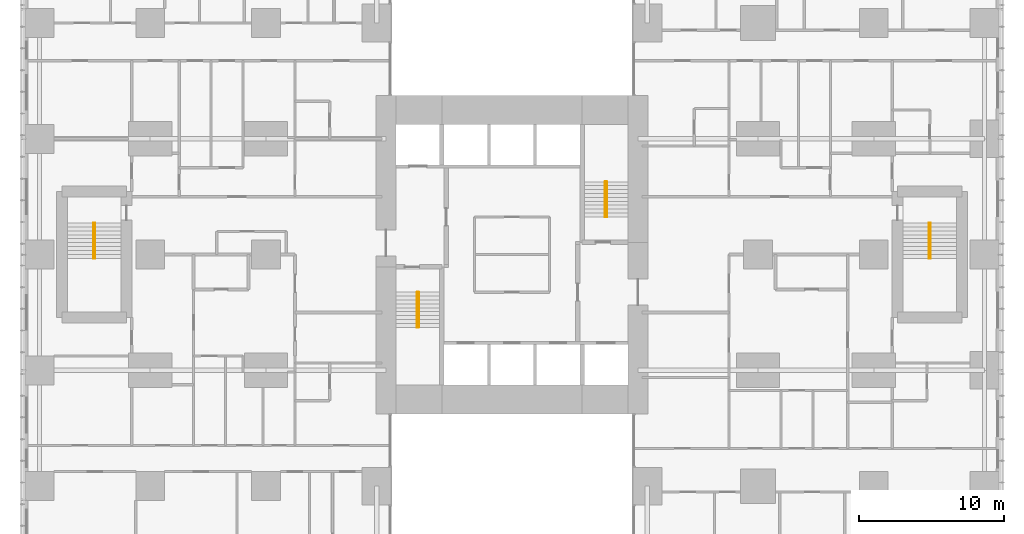
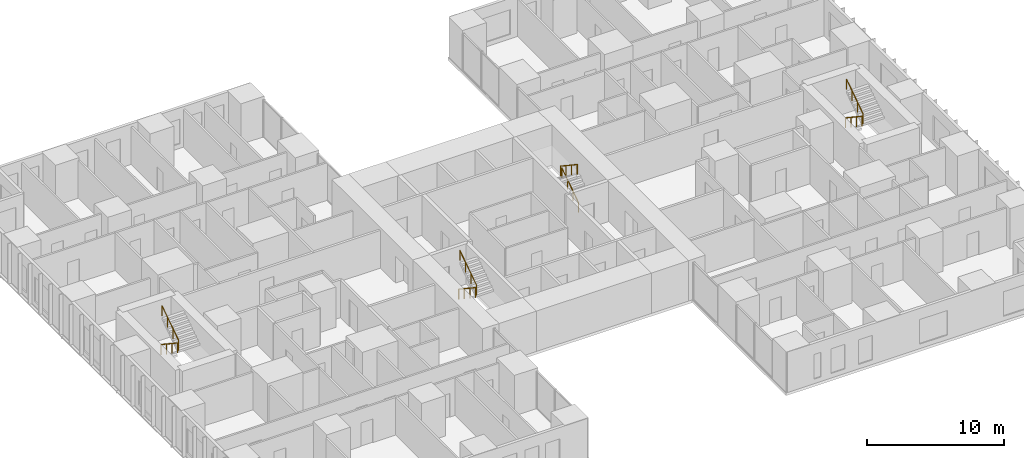
# One storey, part 20 of 20: 8 railings.
"""IFC4 building model written with IfcOpenShell, lengths in metres."""

import ifcopenshell
import ifcopenshell.guid

model = None  # the IFC model being written
_history = None  # IfcOwnerHistory: only IFC2X3 demands one
_inside = {}  # id of a spatial element -> (the spatial element, [elements in it])
_under = {}  # id of a project, library or spatial element -> (it, [spatial elements below it])
_declared = {}  # id of a project -> (the project, [libraries it declares])
_typed = {}  # id of a type object -> (the type object, [elements of that type])
_made_of = {}  # id of a material, layer set ... -> (it, [elements and type objects made of it])


def new_model(schema):
    """Start an empty IFC model of exactly this schema.

    Asked for "IFC4X3", IfcOpenShell would pick the latest addendum, in which some entities
    have other attributes; the version numbers below select the first issue.
    IFC2X3 requires an IfcOwnerHistory on every rooted entity: one is made here for all.
    """
    global model, _history
    if schema == "IFC4X3":
        model = ifcopenshell.file(schema_version=(4, 3, 0, 0))
    else:
        model = ifcopenshell.file(schema=schema)
    _inside.clear()
    _under.clear()
    _declared.clear()
    _typed.clear()
    _made_of.clear()
    _history = None
    if model.schema == "IFC2X3":
        org = make("IfcOrganization", Name="unknown")
        user = make(
            "IfcPersonAndOrganization",
            ThePerson=make("IfcPerson", FamilyName="unknown"),
            TheOrganization=org,
        )
        app = make(
            "IfcApplication",
            ApplicationDeveloper=org,
            Version="unknown",
            ApplicationFullName="unknown",
            ApplicationIdentifier="unknown",
        )
        _history = make(
            "IfcOwnerHistory",
            OwningUser=user,
            OwningApplication=app,
            ChangeAction="ADDED",
            CreationDate=0,
        )
    return model


def make(cls, **values):
    """One entity of the class cls with the attributes given. An attribute that is None is left unset."""
    return model.create_entity(
        cls, **{name: value for name, value in values.items() if value is not None}
    )


def rooted(cls, **values):
    """An entity with a GlobalId (a new one), such as an element, a storey or a relation."""
    return make(cls, GlobalId=ifcopenshell.guid.new(), OwnerHistory=_history, **values)


def si_unit(unit_type, name, prefix=None):
    """IfcSIUnit, for example si_unit("LENGTHUNIT", "METRE", prefix="MILLI")."""
    return make("IfcSIUnit", UnitType=unit_type, Prefix=prefix, Name=name)


def assignment(units):
    """IfcUnitAssignment: the units of a project."""
    return None if units is None else make("IfcUnitAssignment", Units=units)


def point(xyz):
    """IfcCartesianPoint."""
    return None if xyz is None else make("IfcCartesianPoint", Coordinates=xyz)


def direction(xyz):
    """IfcDirection."""
    return None if xyz is None else make("IfcDirection", DirectionRatios=xyz)


def frame(location, z_axis=None, x_axis=None):
    """IfcAxis2Placement3D, a coordinate frame: its origin and axes. An axis left out is left unset."""
    return make(
        "IfcAxis2Placement3D",
        Location=point(location),
        Axis=direction(z_axis),
        RefDirection=direction(x_axis),
    )


def frame_2d(location, x_axis=None):
    """IfcAxis2Placement2D, a coordinate frame in the plane: its origin and x axis."""
    return make(
        "IfcAxis2Placement2D", Location=point(location), RefDirection=direction(x_axis)
    )


def origin():
    """The frame at (0, 0, 0) with its axes left unset."""
    return frame((0.0, 0.0, 0.0))


def origin_2d():
    """The frame at (0, 0) in the plane with its x axis left unset."""
    return frame_2d((0.0, 0.0))


def place(relative_to, where):
    """IfcLocalPlacement: puts the frame where relative to a parent placement (None: the world)."""
    return make(
        "IfcLocalPlacement", PlacementRelTo=relative_to, RelativePlacement=where
    )


def context(
    kind, dimensions, precision=None, world=None, true_north=None, identifier=None
):
    """IfcGeometricRepresentationContext, for example the 3D "Model" context."""
    return make(
        "IfcGeometricRepresentationContext",
        ContextIdentifier=identifier,
        ContextType=kind,
        CoordinateSpaceDimension=dimensions,
        Precision=precision,
        WorldCoordinateSystem=world,
        TrueNorth=true_north,
    )


def subcontext(parent, identifier, kind, view, scale=None):
    """IfcGeometricRepresentationSubContext, for example "Body" below "Model"."""
    return make(
        "IfcGeometricRepresentationSubContext",
        ContextIdentifier=identifier,
        ContextType=kind,
        ParentContext=parent,
        TargetScale=scale,
        TargetView=view,
    )


def project(units=None, contexts=None):
    """IfcProject with its units and contexts."""
    return rooted(
        "IfcProject",
        Name="project",
        RepresentationContexts=contexts,
        UnitsInContext=assignment(units),
    )


def spatial(cls, under=None, at=None, **own):
    """A site, building, storey or space (cls), placed at a placement, below another one or the project."""
    s = rooted(cls, ObjectPlacement=at, **own)
    if under is not None:
        _under.setdefault(under.id(), (under, []))[1].append(s)
    return s


def profile(cls, at=None, kind="AREA", **sizes):
    """A parametric profile (cls). Its sizes go by their IFC names, for example OverallWidth=200.0."""
    return make(cls, ProfileType=kind, Position=at, **sizes)


def circle(**sizes):
    """IfcCircleProfileDef."""
    return profile("IfcCircleProfileDef", **sizes)


def extrude(swept, where, along, depth):
    """IfcExtrudedAreaSolid: the profile swept, set in the frame where, extruded along a direction by depth."""
    return make(
        "IfcExtrudedAreaSolid",
        SweptArea=swept,
        Position=where,
        ExtrudedDirection=direction(along),
        Depth=depth,
    )


def shape(context_of_items, identifier, shape_type, items):
    """IfcShapeRepresentation: the items that make up one representation, for example the "Body"."""
    return make(
        "IfcShapeRepresentation",
        ContextOfItems=context_of_items,
        RepresentationIdentifier=identifier,
        RepresentationType=shape_type,
        Items=items,
    )


def material(Name=None, Category=None):
    """IfcMaterial."""
    return make("IfcMaterial", Name=Name, Category=Category)


def made_of(thing, what):
    """Note that an element or type object is made of a material, layer set ...; save() writes the relation."""
    if what is not None:
        _made_of.setdefault(what.id(), (what, []))[1].append(thing)
    return thing


def type_object(cls, material=None, **own):
    """A type object (cls), such as IfcWallType, which elements share."""
    return made_of(rooted(cls, **own), material)


def element(
    cls,
    number,
    at=None,
    inside=None,
    cuts=None,
    type_object=None,
    material=None,
    context=None,
    identifier="Body",
    shape_type=None,
    held_by="IfcProductDefinitionShape",
    body=None,
    shapes=None,
    **own,
):
    """One element of the class cls, such as IfcWall. Its Tag is "e" and its number.

    at: its placement. inside: the storey or other place that contains it. cuts: it is an
    opening in that element (IfcRelVoidsElement). A single representation is given by context,
    identifier, shape_type and body (its items); several are given by shapes. held_by: the class
    of the entity that holds the representations. save() writes the other relations.
    """
    e = rooted(cls, Tag="e%d" % number, ObjectPlacement=at, **own)
    if body is not None:
        shapes = [shape(context, identifier, shape_type, body)]
    if shapes is not None:
        e.Representation = make(held_by, Representations=shapes)
    if inside is not None:
        _inside.setdefault(inside.id(), (inside, []))[1].append(e)
    if cuts is not None:
        rooted(
            "IfcRelVoidsElement", RelatingBuildingElement=cuts, RelatedOpeningElement=e
        )
    if type_object is not None:
        _typed.setdefault(type_object.id(), (type_object, []))[1].append(e)
    return made_of(e, material)


def aggregate(whole, parts):
    """IfcRelAggregates: a whole, such as a stair, and the parts it consists of."""
    return rooted("IfcRelAggregates", RelatingObject=whole, RelatedObjects=parts)


def save(model, path):
    """Write the relations noted so far, then the file.

    IfcRelAggregates (storeys below a building ...), IfcRelContainedInSpatialStructure (elements
    in a storey), IfcRelDefinesByType, IfcRelAssociatesMaterial and IfcRelDeclares: one each for
    every whole, place, type object, material and project.
    """
    for whole, parts in _under.values():
        aggregate(whole, parts)
    for where, things in _inside.values():
        rooted(
            "IfcRelContainedInSpatialStructure",
            RelatedElements=things,
            RelatingStructure=where,
        )
    for kind, things in _typed.values():
        rooted("IfcRelDefinesByType", RelatedObjects=things, RelatingType=kind)
    for what, things in _made_of.values():
        rooted("IfcRelAssociatesMaterial", RelatedObjects=things, RelatingMaterial=what)
    for by, libraries in _declared.values():
        rooted("IfcRelDeclares", RelatingContext=by, RelatedDefinitions=libraries)
    model.write(path)


model = new_model("IFC4")

# Units and contexts
model_context = context("Model", 3, precision=1e-05, world=origin(), true_north=direction((0.0, 1.0)))
body_context = subcontext(model_context, "Body", "Model", "MODEL_VIEW")
ifc_project = project(units=[si_unit("LENGTHUNIT", "METRE"), si_unit("AREAUNIT", "SQUARE_METRE"), si_unit("VOLUMEUNIT", "CUBIC_METRE"), si_unit("PLANEANGLEUNIT", "RADIAN"), si_unit("MASSUNIT", "GRAM", prefix="KILO")], contexts=[model_context])

# Site, building, storey
site_placement = place(None, origin())
site = spatial("IfcSite", under=ifc_project, at=site_placement, CompositionType="ELEMENT")
building_placement = place(site_placement, origin())
building = spatial("IfcBuilding", under=site, at=building_placement, Name="Cleftline Residences", CompositionType="ELEMENT")
storey_placement = place(building_placement, frame((0.0, 0.0, 99.800048828125)))
storey = spatial("IfcBuildingStorey", under=building, at=storey_placement, Name="L25", CompositionType="ELEMENT", Elevation=99.800048828125)

# Railings
ifc_material = material(Name="Stainless steel", Category="steel")
railing_type = type_object("IfcRailingType", Name="HANDRAIL 900", PredefinedType="HANDRAIL", material=ifc_material)
railing_1_placement = place(storey_placement, frame((26.449951171875, 21.39990234375, 0.179931640625)))
element("IfcRailing", 1, at=railing_1_placement, inside=storey, type_object=railing_type, Name="Stair handrail", PredefinedType="HANDRAIL", context=body_context, shape_type="SweptSolid", body=[
    extrude(circle(Radius=0.02392578125, at=origin_2d()), frame((0.0, 0.0, 0.8759765625), z_axis=(0.0, -0.832024571796, 0.554738778101), x_axis=(1.0, 0.0, 0.0)), (0.0, 0.0, 1.0), 2.92041015625),
    extrude(circle(Radius=0.02099609375, at=origin_2d()), origin(), (0.0, 0.0, 1.0), 0.851806640625),
    extrude(circle(Radius=0.02099609375, at=origin_2d()), frame((0.0, -0.81005859375, 0.5400390625)), (0.0, 0.0, 1.0), 0.851806640625),
    extrude(circle(Radius=0.02099609375, at=origin_2d()), frame((0.0, -1.619873046875, 1.080078125)), (0.0, 0.0, 1.0), 0.851806640625),
    extrude(circle(Radius=0.02099609375, at=origin_2d()), frame((0.0, -2.429931640625, 1.6201171875)), (0.0, 0.0, 1.0), 0.851806640625),
])
railing_2_placement = place(storey_placement, frame((26.550048828125, 18.969970703125, 1.97998046875)))
element("IfcRailing", 2, at=railing_2_placement, inside=storey, type_object=railing_type, Name="Stair handrail", PredefinedType="HANDRAIL", context=body_context, shape_type="SweptSolid", body=[
    extrude(circle(Radius=0.02392578125, at=origin_2d()), frame((0.0, 0.0, 0.8759765625), z_axis=(0.0, 0.832063155534, 0.554680903946), x_axis=(-1.0, 0.0, 0.0)), (0.0, 0.0, 1.0), 2.92041015625),
    extrude(circle(Radius=0.02099609375, at=origin_2d()), origin(), (0.0, 0.0, 1.0), 0.851806640625),
    extrude(circle(Radius=0.02099609375, at=origin_2d()), frame((0.0, 0.81005859375, 0.5400390625)), (0.0, 0.0, 1.0), 0.851806640625),
    extrude(circle(Radius=0.02099609375, at=origin_2d()), frame((0.0, 1.619873046875, 1.079833984375)), (0.0, 0.0, 1.0), 0.851806640625),
    extrude(circle(Radius=0.02099609375, at=origin_2d()), frame((0.0, 2.429931640625, 1.619873046875)), (0.0, 0.0, 1.0), 0.851806640625),
])
railing_3_placement = place(storey_placement, frame((39.550048828125, 26.60009765625, 0.179931640625)))
element("IfcRailing", 3, at=railing_3_placement, inside=storey, type_object=railing_type, Name="Stair handrail", PredefinedType="HANDRAIL", context=body_context, shape_type="SweptSolid", body=[
    extrude(circle(Radius=0.02392578125, at=origin_2d()), frame((0.0, 0.0, 0.8759765625), z_axis=(0.0, 0.832024571796, 0.554738778101), x_axis=(-1.0, 0.0, 0.0)), (0.0, 0.0, 1.0), 2.92041015625),
    extrude(circle(Radius=0.02099609375, at=origin_2d()), origin(), (0.0, 0.0, 1.0), 0.851806640625),
    extrude(circle(Radius=0.02099609375, at=origin_2d()), frame((0.0, 0.81005859375, 0.5400390625)), (0.0, 0.0, 1.0), 0.851806640625),
    extrude(circle(Radius=0.02099609375, at=origin_2d()), frame((0.0, 1.619873046875, 1.080078125)), (0.0, 0.0, 1.0), 0.851806640625),
    extrude(circle(Radius=0.02099609375, at=origin_2d()), frame((0.0, 2.429931640625, 1.6201171875)), (0.0, 0.0, 1.0), 0.851806640625),
])
railing_4_placement = place(storey_placement, frame((39.449951171875, 29.030029296875, 1.97998046875)))
element("IfcRailing", 4, at=railing_4_placement, inside=storey, type_object=railing_type, Name="Stair handrail", PredefinedType="HANDRAIL", context=body_context, shape_type="SweptSolid", body=[
    extrude(circle(Radius=0.02392578125, at=origin_2d()), frame((0.0, 0.0, 0.8759765625), z_axis=(0.0, -0.832063155534, 0.554680903946), x_axis=(1.0, 0.0, 0.0)), (0.0, 0.0, 1.0), 2.92041015625),
    extrude(circle(Radius=0.02099609375, at=origin_2d()), origin(), (0.0, 0.0, 1.0), 0.851806640625),
    extrude(circle(Radius=0.02099609375, at=origin_2d()), frame((0.0, -0.81005859375, 0.5400390625)), (0.0, 0.0, 1.0), 0.851806640625),
    extrude(circle(Radius=0.02099609375, at=origin_2d()), frame((0.0, -1.619873046875, 1.079833984375)), (0.0, 0.0, 1.0), 0.851806640625),
    extrude(circle(Radius=0.02099609375, at=origin_2d()), frame((0.0, -2.429931640625, 1.619873046875)), (0.0, 0.0, 1.0), 0.851806640625),
])
railing_5_placement = place(storey_placement, frame((61.824951171875, 26.175048828125, 0.179931640625)))
element("IfcRailing", 5, at=railing_5_placement, inside=storey, type_object=railing_type, Name="Stair handrail", PredefinedType="HANDRAIL", context=body_context, shape_type="SweptSolid", body=[
    extrude(circle(Radius=0.02392578125, at=origin_2d()), frame((0.0, 0.0, 0.8759765625), z_axis=(0.0, -0.832024571796, 0.554738778101), x_axis=(1.0, 0.0, 0.0)), (0.0, 0.0, 1.0), 2.92041015625),
    extrude(circle(Radius=0.02099609375, at=origin_2d()), origin(), (0.0, 0.0, 1.0), 0.851806640625),
    extrude(circle(Radius=0.02099609375, at=origin_2d()), frame((0.0, -0.81005859375, 0.5400390625)), (0.0, 0.0, 1.0), 0.851806640625),
    extrude(circle(Radius=0.02099609375, at=origin_2d()), frame((0.0, -1.619873046875, 1.080078125)), (0.0, 0.0, 1.0), 0.851806640625),
    extrude(circle(Radius=0.02099609375, at=origin_2d()), frame((0.0, -2.429931640625, 1.6201171875)), (0.0, 0.0, 1.0), 0.851806640625),
])
railing_6_placement = place(storey_placement, frame((61.925048828125, 23.7451171875, 1.97998046875)))
element("IfcRailing", 6, at=railing_6_placement, inside=storey, type_object=railing_type, Name="Stair handrail", PredefinedType="HANDRAIL", context=body_context, shape_type="SweptSolid", body=[
    extrude(circle(Radius=0.02392578125, at=origin_2d()), frame((0.0, 0.0, 0.8759765625), z_axis=(0.0, 0.832063155534, 0.554680903946), x_axis=(-1.0, 0.0, 0.0)), (0.0, 0.0, 1.0), 2.92041015625),
    extrude(circle(Radius=0.02099609375, at=origin_2d()), origin(), (0.0, 0.0, 1.0), 0.851806640625),
    extrude(circle(Radius=0.02099609375, at=origin_2d()), frame((0.0, 0.81005859375, 0.5400390625)), (0.0, 0.0, 1.0), 0.851806640625),
    extrude(circle(Radius=0.02099609375, at=origin_2d()), frame((0.0, 1.619873046875, 1.079833984375)), (0.0, 0.0, 1.0), 0.851806640625),
    extrude(circle(Radius=0.02099609375, at=origin_2d()), frame((0.0, 2.429931640625, 1.619873046875)), (0.0, 0.0, 1.0), 0.851806640625),
])
railing_7_placement = place(storey_placement, frame((4.074951171875, 26.175048828125, 0.179931640625)))
element("IfcRailing", 7, at=railing_7_placement, inside=storey, type_object=railing_type, Name="Stair handrail", PredefinedType="HANDRAIL", context=body_context, shape_type="SweptSolid", body=[
    extrude(circle(Radius=0.02392578125, at=origin_2d()), frame((0.0, 0.0, 0.8759765625), z_axis=(0.0, -0.832024571796, 0.554738778101), x_axis=(1.0, 0.0, 0.0)), (0.0, 0.0, 1.0), 2.92041015625),
    extrude(circle(Radius=0.02099609375, at=origin_2d()), origin(), (0.0, 0.0, 1.0), 0.851806640625),
    extrude(circle(Radius=0.02099609375, at=origin_2d()), frame((0.0, -0.81005859375, 0.5400390625)), (0.0, 0.0, 1.0), 0.851806640625),
    extrude(circle(Radius=0.02099609375, at=origin_2d()), frame((0.0, -1.619873046875, 1.080078125)), (0.0, 0.0, 1.0), 0.851806640625),
    extrude(circle(Radius=0.02099609375, at=origin_2d()), frame((0.0, -2.429931640625, 1.6201171875)), (0.0, 0.0, 1.0), 0.851806640625),
])
railing_8_placement = place(storey_placement, frame((4.175048828125, 23.7451171875, 1.97998046875)))
element("IfcRailing", 8, at=railing_8_placement, inside=storey, type_object=railing_type, Name="Stair handrail", PredefinedType="HANDRAIL", context=body_context, shape_type="SweptSolid", body=[
    extrude(circle(Radius=0.02392578125, at=origin_2d()), frame((0.0, 0.0, 0.8759765625), z_axis=(0.0, 0.832063155534, 0.554680903946), x_axis=(-1.0, 0.0, 0.0)), (0.0, 0.0, 1.0), 2.92041015625),
    extrude(circle(Radius=0.02099609375, at=origin_2d()), origin(), (0.0, 0.0, 1.0), 0.851806640625),
    extrude(circle(Radius=0.02099609375, at=origin_2d()), frame((0.0, 0.81005859375, 0.5400390625)), (0.0, 0.0, 1.0), 0.851806640625),
    extrude(circle(Radius=0.02099609375, at=origin_2d()), frame((0.0, 1.619873046875, 1.079833984375)), (0.0, 0.0, 1.0), 0.851806640625),
    extrude(circle(Radius=0.02099609375, at=origin_2d()), frame((0.0, 2.429931640625, 1.619873046875)), (0.0, 0.0, 1.0), 0.851806640625),
])

save(model, "model.ifc")
